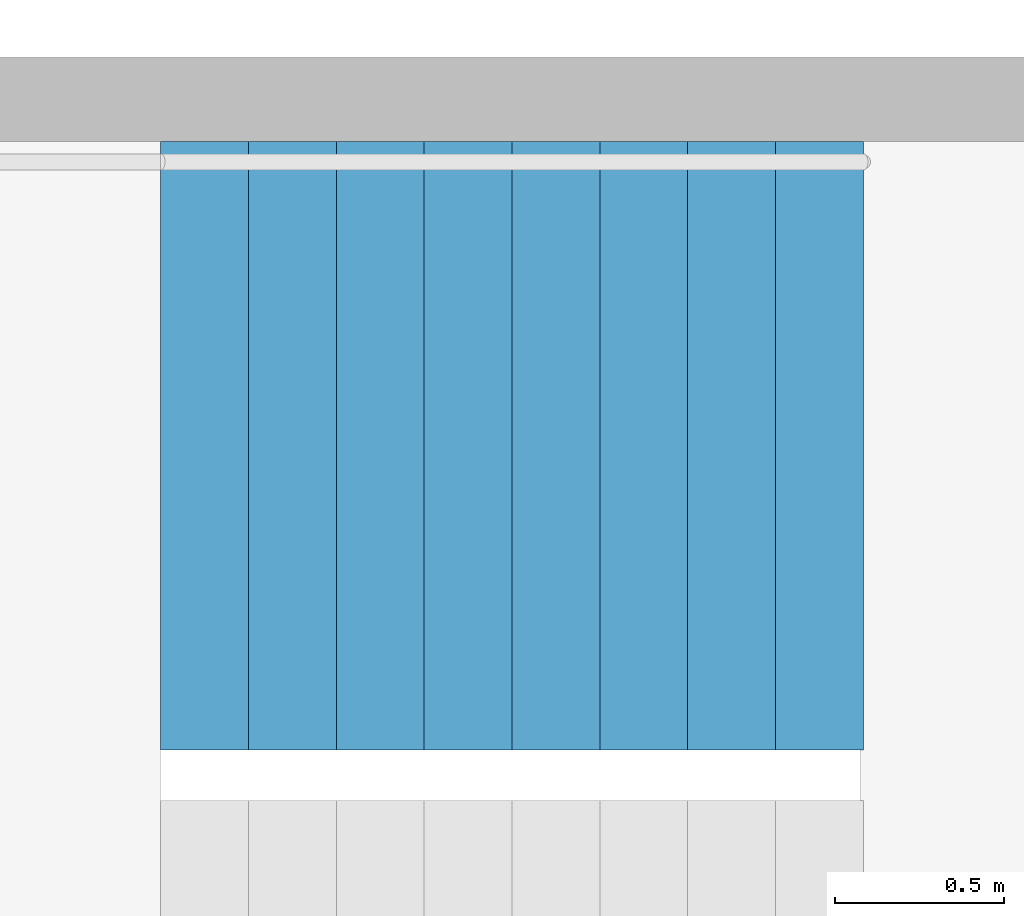
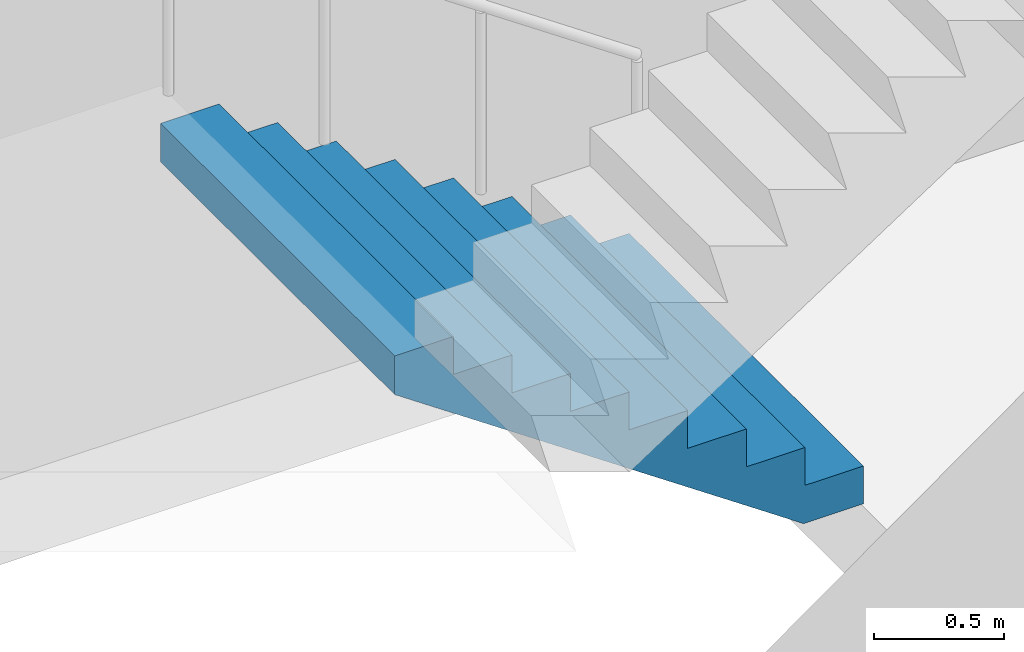
# One storey, part 22 of 29: 1 stair flight, 1 element without a shape of its own.
"""IFC4 building model written with IfcOpenShell, lengths in metres."""

import ifcopenshell
import ifcopenshell.guid

model = None  # the IFC model being written
_history = None  # IfcOwnerHistory: only IFC2X3 demands one
_inside = {}  # id of a spatial element -> (the spatial element, [elements in it])
_under = {}  # id of a project, library or spatial element -> (it, [spatial elements below it])
_declared = {}  # id of a project -> (the project, [libraries it declares])
_typed = {}  # id of a type object -> (the type object, [elements of that type])
_made_of = {}  # id of a material, layer set ... -> (it, [elements and type objects made of it])


def new_model(schema):
    """Start an empty IFC model of exactly this schema.

    Asked for "IFC4X3", IfcOpenShell would pick the latest addendum, in which some entities
    have other attributes; the version numbers below select the first issue.
    IFC2X3 requires an IfcOwnerHistory on every rooted entity: one is made here for all.
    """
    global model, _history
    if schema == "IFC4X3":
        model = ifcopenshell.file(schema_version=(4, 3, 0, 0))
    else:
        model = ifcopenshell.file(schema=schema)
    _inside.clear()
    _under.clear()
    _declared.clear()
    _typed.clear()
    _made_of.clear()
    _history = None
    if model.schema == "IFC2X3":
        org = make("IfcOrganization", Name="unknown")
        user = make(
            "IfcPersonAndOrganization",
            ThePerson=make("IfcPerson", FamilyName="unknown"),
            TheOrganization=org,
        )
        app = make(
            "IfcApplication",
            ApplicationDeveloper=org,
            Version="unknown",
            ApplicationFullName="unknown",
            ApplicationIdentifier="unknown",
        )
        _history = make(
            "IfcOwnerHistory",
            OwningUser=user,
            OwningApplication=app,
            ChangeAction="ADDED",
            CreationDate=0,
        )
    return model


def make(cls, **values):
    """One entity of the class cls with the attributes given. An attribute that is None is left unset."""
    return model.create_entity(
        cls, **{name: value for name, value in values.items() if value is not None}
    )


def rooted(cls, **values):
    """An entity with a GlobalId (a new one), such as an element, a storey or a relation."""
    return make(cls, GlobalId=ifcopenshell.guid.new(), OwnerHistory=_history, **values)


def si_unit(unit_type, name, prefix=None):
    """IfcSIUnit, for example si_unit("LENGTHUNIT", "METRE", prefix="MILLI")."""
    return make("IfcSIUnit", UnitType=unit_type, Prefix=prefix, Name=name)


def assignment(units):
    """IfcUnitAssignment: the units of a project."""
    return None if units is None else make("IfcUnitAssignment", Units=units)


def point(xyz):
    """IfcCartesianPoint."""
    return None if xyz is None else make("IfcCartesianPoint", Coordinates=xyz)


def direction(xyz):
    """IfcDirection."""
    return None if xyz is None else make("IfcDirection", DirectionRatios=xyz)


def frame(location, z_axis=None, x_axis=None):
    """IfcAxis2Placement3D, a coordinate frame: its origin and axes. An axis left out is left unset."""
    return make(
        "IfcAxis2Placement3D",
        Location=point(location),
        Axis=direction(z_axis),
        RefDirection=direction(x_axis),
    )


def origin():
    """The frame at (0, 0, 0) with its axes left unset."""
    return frame((0.0, 0.0, 0.0))


def place(relative_to, where):
    """IfcLocalPlacement: puts the frame where relative to a parent placement (None: the world)."""
    return make(
        "IfcLocalPlacement", PlacementRelTo=relative_to, RelativePlacement=where
    )


def context(
    kind, dimensions, precision=None, world=None, true_north=None, identifier=None
):
    """IfcGeometricRepresentationContext, for example the 3D "Model" context."""
    return make(
        "IfcGeometricRepresentationContext",
        ContextIdentifier=identifier,
        ContextType=kind,
        CoordinateSpaceDimension=dimensions,
        Precision=precision,
        WorldCoordinateSystem=world,
        TrueNorth=true_north,
    )


def subcontext(parent, identifier, kind, view, scale=None):
    """IfcGeometricRepresentationSubContext, for example "Body" below "Model"."""
    return make(
        "IfcGeometricRepresentationSubContext",
        ContextIdentifier=identifier,
        ContextType=kind,
        ParentContext=parent,
        TargetScale=scale,
        TargetView=view,
    )


def project(units=None, contexts=None):
    """IfcProject with its units and contexts."""
    return rooted(
        "IfcProject",
        Name="project",
        RepresentationContexts=contexts,
        UnitsInContext=assignment(units),
    )


def spatial(cls, under=None, at=None, **own):
    """A site, building, storey or space (cls), placed at a placement, below another one or the project."""
    s = rooted(cls, ObjectPlacement=at, **own)
    if under is not None:
        _under.setdefault(under.id(), (under, []))[1].append(s)
    return s


def point_list(points):
    """IfcCartesianPointList2D or 3D."""
    cls = (
        "IfcCartesianPointList2D" if len(points[0]) == 2 else "IfcCartesianPointList3D"
    )
    return make(cls, CoordList=points)


def triangles(points, corners, closed=None, point_numbers=None):
    """IfcTriangulatedFaceSet: each triangle names its three corners, points numbered from 1."""
    return make(
        "IfcTriangulatedFaceSet",
        Coordinates=point_list(points),
        Closed=closed,
        CoordIndex=corners,
        PnIndex=point_numbers,
    )


def shape(context_of_items, identifier, shape_type, items):
    """IfcShapeRepresentation: the items that make up one representation, for example the "Body"."""
    return make(
        "IfcShapeRepresentation",
        ContextOfItems=context_of_items,
        RepresentationIdentifier=identifier,
        RepresentationType=shape_type,
        Items=items,
    )


def material(Name=None, Category=None):
    """IfcMaterial."""
    return make("IfcMaterial", Name=Name, Category=Category)


def made_of(thing, what):
    """Note that an element or type object is made of a material, layer set ...; save() writes the relation."""
    if what is not None:
        _made_of.setdefault(what.id(), (what, []))[1].append(thing)
    return thing


def type_object(cls, material=None, **own):
    """A type object (cls), such as IfcWallType, which elements share."""
    return made_of(rooted(cls, **own), material)


def element(
    cls,
    number,
    at=None,
    inside=None,
    cuts=None,
    type_object=None,
    material=None,
    context=None,
    identifier="Body",
    shape_type=None,
    held_by="IfcProductDefinitionShape",
    body=None,
    shapes=None,
    **own,
):
    """One element of the class cls, such as IfcWall. Its Tag is "e" and its number.

    at: its placement. inside: the storey or other place that contains it. cuts: it is an
    opening in that element (IfcRelVoidsElement). A single representation is given by context,
    identifier, shape_type and body (its items); several are given by shapes. held_by: the class
    of the entity that holds the representations. save() writes the other relations.
    """
    e = rooted(cls, Tag="e%d" % number, ObjectPlacement=at, **own)
    if body is not None:
        shapes = [shape(context, identifier, shape_type, body)]
    if shapes is not None:
        e.Representation = make(held_by, Representations=shapes)
    if inside is not None:
        _inside.setdefault(inside.id(), (inside, []))[1].append(e)
    if cuts is not None:
        rooted(
            "IfcRelVoidsElement", RelatingBuildingElement=cuts, RelatedOpeningElement=e
        )
    if type_object is not None:
        _typed.setdefault(type_object.id(), (type_object, []))[1].append(e)
    return made_of(e, material)


def aggregate(whole, parts):
    """IfcRelAggregates: a whole, such as a stair, and the parts it consists of."""
    return rooted("IfcRelAggregates", RelatingObject=whole, RelatedObjects=parts)


def save(model, path):
    """Write the relations noted so far, then the file.

    IfcRelAggregates (storeys below a building ...), IfcRelContainedInSpatialStructure (elements
    in a storey), IfcRelDefinesByType, IfcRelAssociatesMaterial and IfcRelDeclares: one each for
    every whole, place, type object, material and project.
    """
    for whole, parts in _under.values():
        aggregate(whole, parts)
    for where, things in _inside.values():
        rooted(
            "IfcRelContainedInSpatialStructure",
            RelatedElements=things,
            RelatingStructure=where,
        )
    for kind, things in _typed.values():
        rooted("IfcRelDefinesByType", RelatedObjects=things, RelatingType=kind)
    for what, things in _made_of.values():
        rooted("IfcRelAssociatesMaterial", RelatedObjects=things, RelatingMaterial=what)
    for by, libraries in _declared.values():
        rooted("IfcRelDeclares", RelatingContext=by, RelatedDefinitions=libraries)
    model.write(path)


model = new_model("IFC4")

# Units and contexts
model_context = context("Model", 3, precision=1e-05, world=origin(), true_north=direction((0.0, 1.0)))
body_context = subcontext(model_context, "Body", "Model", "MODEL_VIEW")
ifc_project = project(units=[si_unit("LENGTHUNIT", "METRE"), si_unit("AREAUNIT", "SQUARE_METRE"), si_unit("VOLUMEUNIT", "CUBIC_METRE"), si_unit("PLANEANGLEUNIT", "RADIAN"), si_unit("MASSUNIT", "GRAM", prefix="KILO")], contexts=[model_context])

# Site, building, storey
site_placement = place(None, origin())
site = spatial("IfcSite", under=ifc_project, at=site_placement, CompositionType="ELEMENT")
building_placement = place(site_placement, origin())
building = spatial("IfcBuilding", under=site, at=building_placement, Name="Hakoniwa Tower and Hamabe Station Hall", CompositionType="ELEMENT")
storey_placement = place(building_placement, frame((0.0, 0.0, 45.39990234375)))
storey = spatial("IfcBuildingStorey", under=building, at=storey_placement, Name="L12", CompositionType="ELEMENT", Elevation=45.39990234375)

# Stair, stair flight
ifc_material_1 = material(Name="Concrete C40", Category="concrete")
stair_type = type_object("IfcStairType", Name="ESCAPE STAIR 1800", PredefinedType="HALF_TURN_STAIR", material=ifc_material_1)
stair_placement = place(storey_placement, origin())
stair = element("IfcStair", 1, at=stair_placement, inside=storey, type_object=stair_type, Name="Escape stair ST-2 L12", PredefinedType="HALF_TURN_STAIR")
ifc_material_2 = material(Name="Concrete C40", Category="concrete")
stair_flight_type = type_object("IfcStairFlightType", Name="STAIR FLIGHT 1800", PredefinedType="STRAIGHT", material=ifc_material_2)
stair_flight_placement = place(storey_placement, frame((-23.39990234375, -4.64990234375, 0.0), z_axis=(0.0, 0.0, 1.0), x_axis=(-1.0, 0.0, 0.0)))
stair_flight = element("IfcStairFlight", 2, at=stair_flight_placement, type_object=stair_flight_type, Name="ST-2 flight 1", NumberOfRisers=9, NumberOfTreads=8, PredefinedType="STRAIGHT", RiserHeight=0.177777778, TreadLength=0.26, context=body_context, shape_type="Tessellation", body=[
    triangles([(0.0, 0.89990234375, 0.0), (0.260009765625, 0.89990234375, 0.0), (0.265625, 0.89990234375, 0.0), (0.52001953125, 0.89990234375, 0.174072265625), (0.780029296875, 0.89990234375, 0.351806640625), (1.0400390625, 0.89990234375, 0.529541015625), (1.300048828125, 0.89990234375, 0.707275390625), (1.56005859375, 0.89990234375, 0.885009765625), (1.820068359375, 0.89990234375, 1.062744140625), (2.080078125, 0.89990234375, 1.24072265625), (2.080078125, 0.89990234375, 1.422119140625), (1.820068359375, 0.89990234375, 1.422119140625), (1.820068359375, 0.89990234375, 1.244384765625), (1.56005859375, 0.89990234375, 1.244384765625), (1.56005859375, 0.89990234375, 1.066650390625), (1.300048828125, 0.89990234375, 1.066650390625), (1.300048828125, 0.89990234375, 0.888916015625), (1.0400390625, 0.89990234375, 0.888916015625), (1.0400390625, 0.89990234375, 0.711181640625), (0.780029296875, 0.89990234375, 0.711181640625), (0.780029296875, 0.89990234375, 0.533447265625), (0.52001953125, 0.89990234375, 0.533447265625), (0.52001953125, 0.89990234375, 0.35546875), (0.265625, 0.89990234375, 0.35546875), (0.260009765625, 0.89990234375, 0.35546875), (0.260009765625, 0.89990234375, 0.177734375), (0.0, 0.89990234375, 0.177734375), (0.0, 0.06005859375, 0.0), (0.260009765625, 0.06005859375, 0.0), (0.265625, 0.06005859375, 0.0), (0.52001953125, 0.06005859375, 0.174072265625), (0.780029296875, 0.06005859375, 0.351806640625), (1.0400390625, 0.06005859375, 0.529541015625), (1.300048828125, 0.06005859375, 0.707275390625), (1.56005859375, 0.06005859375, 0.885009765625), (1.820068359375, 0.06005859375, 1.062744140625), (2.080078125, 0.06005859375, 1.24072265625), (2.080078125, 0.06005859375, 1.422119140625), (1.820068359375, 0.06005859375, 1.422119140625), (1.820068359375, 0.06005859375, 1.244384765625), (1.56005859375, 0.06005859375, 1.244384765625), (1.56005859375, 0.06005859375, 1.066650390625), (1.300048828125, 0.06005859375, 1.066650390625), (1.300048828125, 0.06005859375, 0.888916015625), (1.0400390625, 0.06005859375, 0.888916015625), (1.0400390625, 0.06005859375, 0.711181640625), (0.780029296875, 0.06005859375, 0.711181640625), (0.780029296875, 0.06005859375, 0.533447265625), (0.52001953125, 0.06005859375, 0.533447265625), (0.52001953125, 0.06005859375, 0.35546875), (0.265625, 0.06005859375, 0.35546875), (0.260009765625, 0.06005859375, 0.35546875), (0.260009765625, 0.06005859375, 0.177734375), (0.0, 0.06005859375, 0.177734375), (0.0, 0.04296875, 0.0), (0.260009765625, 0.04296875, 0.0), (0.265625, 0.04296875, 0.0), (0.52001953125, 0.04296875, 0.174072265625), (0.780029296875, 0.04296875, 0.351806640625), (1.0400390625, 0.04296875, 0.529541015625), (1.300048828125, 0.04296875, 0.707275390625), (1.56005859375, 0.04296875, 0.885009765625), (1.820068359375, 0.04296875, 1.062744140625), (2.080078125, 0.04296875, 1.24072265625), (2.080078125, 0.04296875, 1.422119140625), (1.820068359375, 0.04296875, 1.422119140625), (1.820068359375, 0.04296875, 1.244384765625), (1.56005859375, 0.04296875, 1.244384765625), (1.56005859375, 0.04296875, 1.066650390625), (1.300048828125, 0.04296875, 1.066650390625), (1.300048828125, 0.04296875, 0.888916015625), (1.0400390625, 0.04296875, 0.888916015625), (1.0400390625, 0.04296875, 0.711181640625), (0.780029296875, 0.04296875, 0.711181640625), (0.780029296875, 0.04296875, 0.533447265625), (0.52001953125, 0.04296875, 0.533447265625), (0.52001953125, 0.04296875, 0.35546875), (0.265625, 0.04296875, 0.35546875), (0.260009765625, 0.04296875, 0.35546875), (0.260009765625, 0.04296875, 0.177734375), (0.0, 0.04296875, 0.177734375), (0.0, 0.025634765625, 0.0), (0.260009765625, 0.025634765625, 0.0), (0.265625, 0.025634765625, 0.0), (0.52001953125, 0.025634765625, 0.174072265625), (0.780029296875, 0.025634765625, 0.351806640625), (1.0400390625, 0.025634765625, 0.529541015625), (1.300048828125, 0.025634765625, 0.707275390625), (1.56005859375, 0.025634765625, 0.885009765625), (1.820068359375, 0.025634765625, 1.062744140625), (2.080078125, 0.025634765625, 1.24072265625), (2.080078125, 0.025634765625, 1.422119140625), (1.820068359375, 0.025634765625, 1.422119140625), (1.820068359375, 0.025634765625, 1.244384765625), (1.56005859375, 0.025634765625, 1.244384765625), (1.56005859375, 0.025634765625, 1.066650390625), (1.300048828125, 0.025634765625, 1.066650390625), (1.300048828125, 0.025634765625, 0.888916015625), (1.0400390625, 0.025634765625, 0.888916015625), (1.0400390625, 0.025634765625, 0.711181640625), (0.780029296875, 0.025634765625, 0.711181640625), (0.780029296875, 0.025634765625, 0.533447265625), (0.52001953125, 0.025634765625, 0.533447265625), (0.52001953125, 0.025634765625, 0.35546875), (0.265625, 0.025634765625, 0.35546875), (0.260009765625, 0.025634765625, 0.35546875), (0.260009765625, 0.025634765625, 0.177734375), (0.0, 0.025634765625, 0.177734375), (0.0, 0.008544921875, 0.0), (0.260009765625, 0.008544921875, 0.0), (0.265625, 0.008544921875, 0.0), (0.52001953125, 0.008544921875, 0.174072265625), (0.780029296875, 0.008544921875, 0.351806640625), (1.0400390625, 0.008544921875, 0.529541015625), (1.300048828125, 0.008544921875, 0.707275390625), (1.56005859375, 0.008544921875, 0.885009765625), (1.820068359375, 0.008544921875, 1.062744140625), (2.080078125, 0.008544921875, 1.24072265625), (2.080078125, 0.008544921875, 1.422119140625), (1.820068359375, 0.008544921875, 1.422119140625), (1.820068359375, 0.008544921875, 1.244384765625), (1.56005859375, 0.008544921875, 1.244384765625), (1.56005859375, 0.008544921875, 1.066650390625), (1.300048828125, 0.008544921875, 1.066650390625), (1.300048828125, 0.008544921875, 0.888916015625), (1.0400390625, 0.008544921875, 0.888916015625), (1.0400390625, 0.008544921875, 0.711181640625), (0.780029296875, 0.008544921875, 0.711181640625), (0.780029296875, 0.008544921875, 0.533447265625), (0.52001953125, 0.008544921875, 0.533447265625), (0.52001953125, 0.008544921875, 0.35546875), (0.265625, 0.008544921875, 0.35546875), (0.260009765625, 0.008544921875, 0.35546875), (0.260009765625, 0.008544921875, 0.177734375), (0.0, 0.008544921875, 0.177734375), (0.0, -0.008544921875, 0.0), (0.260009765625, -0.008544921875, 0.0), (0.265625, -0.008544921875, 0.0), (0.52001953125, -0.008544921875, 0.174072265625), (0.780029296875, -0.008544921875, 0.351806640625), (1.0400390625, -0.008544921875, 0.529541015625), (1.300048828125, -0.008544921875, 0.707275390625), (1.56005859375, -0.008544921875, 0.885009765625), (1.820068359375, -0.008544921875, 1.062744140625), (2.080078125, -0.008544921875, 1.24072265625), (2.080078125, -0.008544921875, 1.422119140625), (1.820068359375, -0.008544921875, 1.422119140625), (1.820068359375, -0.008544921875, 1.244384765625), (1.56005859375, -0.008544921875, 1.244384765625), (1.56005859375, -0.008544921875, 1.066650390625), (1.300048828125, -0.008544921875, 1.066650390625), (1.300048828125, -0.008544921875, 0.888916015625), (1.0400390625, -0.008544921875, 0.888916015625), (1.0400390625, -0.008544921875, 0.711181640625), (0.780029296875, -0.008544921875, 0.711181640625), (0.780029296875, -0.008544921875, 0.533447265625), (0.52001953125, -0.008544921875, 0.533447265625), (0.52001953125, -0.008544921875, 0.35546875), (0.265625, -0.008544921875, 0.35546875), (0.260009765625, -0.008544921875, 0.35546875), (0.260009765625, -0.008544921875, 0.177734375), (0.0, -0.008544921875, 0.177734375), (0.0, -0.025634765625, 0.0), (0.260009765625, -0.025634765625, 0.0), (0.265625, -0.025634765625, 0.0), (0.52001953125, -0.025634765625, 0.174072265625), (0.780029296875, -0.025634765625, 0.351806640625), (1.0400390625, -0.025634765625, 0.529541015625), (1.300048828125, -0.025634765625, 0.707275390625), (1.56005859375, -0.025634765625, 0.885009765625), (1.820068359375, -0.025634765625, 1.062744140625), (2.080078125, -0.025634765625, 1.24072265625), (2.080078125, -0.025634765625, 1.422119140625), (1.820068359375, -0.025634765625, 1.422119140625), (1.820068359375, -0.025634765625, 1.244384765625), (1.56005859375, -0.025634765625, 1.244384765625), (1.56005859375, -0.025634765625, 1.066650390625), (1.300048828125, -0.025634765625, 1.066650390625), (1.300048828125, -0.025634765625, 0.888916015625), (1.0400390625, -0.025634765625, 0.888916015625), (1.0400390625, -0.025634765625, 0.711181640625), (0.780029296875, -0.025634765625, 0.711181640625), (0.780029296875, -0.025634765625, 0.533447265625), (0.52001953125, -0.025634765625, 0.533447265625), (0.52001953125, -0.025634765625, 0.35546875), (0.265625, -0.025634765625, 0.35546875), (0.260009765625, -0.025634765625, 0.35546875), (0.260009765625, -0.025634765625, 0.177734375), (0.0, -0.025634765625, 0.177734375), (0.0, -0.04296875, 0.0), (0.260009765625, -0.04296875, 0.0), (0.265625, -0.04296875, 0.0), (0.52001953125, -0.04296875, 0.174072265625), (0.780029296875, -0.04296875, 0.351806640625), (1.0400390625, -0.04296875, 0.529541015625), (1.300048828125, -0.04296875, 0.707275390625), (1.56005859375, -0.04296875, 0.885009765625), (1.820068359375, -0.04296875, 1.062744140625), (2.080078125, -0.04296875, 1.24072265625), (2.080078125, -0.04296875, 1.422119140625), (1.820068359375, -0.04296875, 1.422119140625), (1.820068359375, -0.04296875, 1.244384765625), (1.56005859375, -0.04296875, 1.244384765625), (1.56005859375, -0.04296875, 1.066650390625), (1.300048828125, -0.04296875, 1.066650390625), (1.300048828125, -0.04296875, 0.888916015625), (1.0400390625, -0.04296875, 0.888916015625), (1.0400390625, -0.04296875, 0.711181640625), (0.780029296875, -0.04296875, 0.711181640625), (0.780029296875, -0.04296875, 0.533447265625), (0.52001953125, -0.04296875, 0.533447265625), (0.52001953125, -0.04296875, 0.35546875), (0.265625, -0.04296875, 0.35546875), (0.260009765625, -0.04296875, 0.35546875), (0.260009765625, -0.04296875, 0.177734375), (0.0, -0.04296875, 0.177734375), (0.0, -0.06005859375, 0.0), (0.260009765625, -0.06005859375, 0.0), (0.265625, -0.06005859375, 0.0), (0.52001953125, -0.06005859375, 0.174072265625), (0.780029296875, -0.06005859375, 0.351806640625), (1.0400390625, -0.06005859375, 0.529541015625), (1.300048828125, -0.06005859375, 0.707275390625), (1.56005859375, -0.06005859375, 0.885009765625), (1.820068359375, -0.06005859375, 1.062744140625), (2.080078125, -0.06005859375, 1.24072265625), (2.080078125, -0.06005859375, 1.422119140625), (1.820068359375, -0.06005859375, 1.422119140625), (1.820068359375, -0.06005859375, 1.244384765625), (1.56005859375, -0.06005859375, 1.244384765625), (1.56005859375, -0.06005859375, 1.066650390625), (1.300048828125, -0.06005859375, 1.066650390625), (1.300048828125, -0.06005859375, 0.888916015625), (1.0400390625, -0.06005859375, 0.888916015625), (1.0400390625, -0.06005859375, 0.711181640625), (0.780029296875, -0.06005859375, 0.711181640625), (0.780029296875, -0.06005859375, 0.533447265625), (0.52001953125, -0.06005859375, 0.533447265625), (0.52001953125, -0.06005859375, 0.35546875), (0.265625, -0.06005859375, 0.35546875), (0.260009765625, -0.06005859375, 0.35546875), (0.260009765625, -0.06005859375, 0.177734375), (0.0, -0.06005859375, 0.177734375), (0.0, -0.89990234375, 0.0), (0.260009765625, -0.89990234375, 0.0), (0.265625, -0.89990234375, 0.0), (0.52001953125, -0.89990234375, 0.174072265625), (0.780029296875, -0.89990234375, 0.351806640625), (1.0400390625, -0.89990234375, 0.529541015625), (1.300048828125, -0.89990234375, 0.707275390625), (1.56005859375, -0.89990234375, 0.885009765625), (1.820068359375, -0.89990234375, 1.062744140625), (2.080078125, -0.89990234375, 1.24072265625), (2.080078125, -0.89990234375, 1.422119140625), (1.820068359375, -0.89990234375, 1.422119140625), (1.820068359375, -0.89990234375, 1.244384765625), (1.56005859375, -0.89990234375, 1.244384765625), (1.56005859375, -0.89990234375, 1.066650390625), (1.300048828125, -0.89990234375, 1.066650390625), (1.300048828125, -0.89990234375, 0.888916015625), (1.0400390625, -0.89990234375, 0.888916015625), (1.0400390625, -0.89990234375, 0.711181640625), (0.780029296875, -0.89990234375, 0.711181640625), (0.780029296875, -0.89990234375, 0.533447265625), (0.52001953125, -0.89990234375, 0.533447265625), (0.52001953125, -0.89990234375, 0.35546875), (0.265625, -0.89990234375, 0.35546875), (0.260009765625, -0.89990234375, 0.35546875), (0.260009765625, -0.89990234375, 0.177734375), (0.0, -0.89990234375, 0.177734375)], [[2, 27, 26], [245, 269, 270], [2, 1, 27], [245, 270, 244], [3, 25, 24], [246, 267, 268], [3, 26, 25], [246, 268, 269], [3, 2, 26], [246, 269, 245], [4, 24, 23], [247, 266, 267], [4, 3, 24], [247, 267, 246], [5, 22, 21], [248, 264, 265], [5, 23, 22], [248, 265, 266], [5, 4, 23], [248, 266, 247], [6, 20, 19], [249, 262, 263], [6, 21, 20], [249, 263, 264], [6, 5, 21], [249, 264, 248], [7, 18, 17], [250, 260, 261], [7, 19, 18], [250, 261, 262], [7, 6, 19], [250, 262, 249], [8, 16, 15], [251, 258, 259], [8, 17, 16], [251, 259, 260], [8, 7, 17], [251, 260, 250], [9, 14, 13], [252, 256, 257], [9, 15, 14], [252, 257, 258], [9, 8, 15], [252, 258, 251], [10, 12, 11], [253, 254, 255], [10, 13, 12], [253, 255, 256], [10, 9, 13], [253, 256, 252], [1, 2, 29], [1, 29, 28], [28, 29, 56], [28, 56, 55], [55, 56, 83], [55, 83, 82], [82, 83, 110], [82, 110, 109], [109, 110, 137], [109, 137, 136], [136, 137, 164], [136, 164, 163], [163, 164, 191], [163, 191, 190], [190, 191, 218], [190, 218, 217], [217, 218, 245], [217, 245, 244], [2, 3, 30], [2, 30, 29], [29, 30, 57], [29, 57, 56], [56, 57, 84], [56, 84, 83], [83, 84, 111], [83, 111, 110], [110, 111, 138], [110, 138, 137], [137, 138, 165], [137, 165, 164], [164, 165, 192], [164, 192, 191], [191, 192, 219], [191, 219, 218], [218, 219, 246], [218, 246, 245], [3, 4, 31], [3, 31, 30], [30, 31, 58], [30, 58, 57], [57, 58, 85], [57, 85, 84], [84, 85, 112], [84, 112, 111], [111, 112, 139], [111, 139, 138], [138, 139, 166], [138, 166, 165], [165, 166, 193], [165, 193, 192], [192, 193, 220], [192, 220, 219], [219, 220, 247], [219, 247, 246], [4, 5, 32], [4, 32, 31], [31, 32, 59], [31, 59, 58], [58, 59, 86], [58, 86, 85], [85, 86, 113], [85, 113, 112], [112, 113, 140], [112, 140, 139], [139, 140, 167], [139, 167, 166], [166, 167, 194], [166, 194, 193], [193, 194, 221], [193, 221, 220], [220, 221, 248], [220, 248, 247], [5, 6, 33], [5, 33, 32], [32, 33, 60], [32, 60, 59], [59, 60, 87], [59, 87, 86], [86, 87, 114], [86, 114, 113], [113, 114, 141], [113, 141, 140], [140, 141, 168], [140, 168, 167], [167, 168, 195], [167, 195, 194], [194, 195, 222], [194, 222, 221], [221, 222, 249], [221, 249, 248], [6, 7, 34], [6, 34, 33], [33, 34, 61], [33, 61, 60], [60, 61, 88], [60, 88, 87], [87, 88, 115], [87, 115, 114], [114, 115, 142], [114, 142, 141], [141, 142, 169], [141, 169, 168], [168, 169, 196], [168, 196, 195], [195, 196, 223], [195, 223, 222], [222, 223, 250], [222, 250, 249], [7, 8, 35], [7, 35, 34], [34, 35, 62], [34, 62, 61], [61, 62, 89], [61, 89, 88], [88, 89, 116], [88, 116, 115], [115, 116, 143], [115, 143, 142], [142, 143, 170], [142, 170, 169], [169, 170, 197], [169, 197, 196], [196, 197, 224], [196, 224, 223], [223, 224, 251], [223, 251, 250], [8, 9, 36], [8, 36, 35], [35, 36, 63], [35, 63, 62], [62, 63, 90], [62, 90, 89], [89, 90, 117], [89, 117, 116], [116, 117, 144], [116, 144, 143], [143, 144, 171], [143, 171, 170], [170, 171, 198], [170, 198, 197], [197, 198, 225], [197, 225, 224], [224, 225, 252], [224, 252, 251], [9, 10, 37], [9, 37, 36], [36, 37, 64], [36, 64, 63], [63, 64, 91], [63, 91, 90], [90, 91, 118], [90, 118, 117], [117, 118, 145], [117, 145, 144], [144, 145, 172], [144, 172, 171], [171, 172, 199], [171, 199, 198], [198, 199, 226], [198, 226, 225], [225, 226, 253], [225, 253, 252], [10, 11, 38], [10, 38, 37], [37, 38, 65], [37, 65, 64], [64, 65, 92], [64, 92, 91], [91, 92, 119], [91, 119, 118], [118, 119, 146], [118, 146, 145], [145, 146, 173], [145, 173, 172], [172, 173, 200], [172, 200, 199], [199, 200, 227], [199, 227, 226], [226, 227, 254], [226, 254, 253], [11, 12, 39], [11, 39, 38], [38, 39, 66], [38, 66, 65], [65, 66, 93], [65, 93, 92], [92, 93, 120], [92, 120, 119], [119, 120, 147], [119, 147, 146], [146, 147, 174], [146, 174, 173], [173, 174, 201], [173, 201, 200], [200, 201, 228], [200, 228, 227], [227, 228, 255], [227, 255, 254], [12, 13, 40], [12, 40, 39], [39, 40, 67], [39, 67, 66], [66, 67, 94], [66, 94, 93], [93, 94, 121], [93, 121, 120], [120, 121, 148], [120, 148, 147], [147, 148, 175], [147, 175, 174], [174, 175, 202], [174, 202, 201], [201, 202, 229], [201, 229, 228], [228, 229, 256], [228, 256, 255], [13, 14, 41], [13, 41, 40], [40, 41, 68], [40, 68, 67], [67, 68, 95], [67, 95, 94], [94, 95, 122], [94, 122, 121], [121, 122, 149], [121, 149, 148], [148, 149, 176], [148, 176, 175], [175, 176, 203], [175, 203, 202], [202, 203, 230], [202, 230, 229], [229, 230, 257], [229, 257, 256], [14, 15, 42], [14, 42, 41], [41, 42, 69], [41, 69, 68], [68, 69, 96], [68, 96, 95], [95, 96, 123], [95, 123, 122], [122, 123, 150], [122, 150, 149], [149, 150, 177], [149, 177, 176], [176, 177, 204], [176, 204, 203], [203, 204, 231], [203, 231, 230], [230, 231, 258], [230, 258, 257], [15, 16, 43], [15, 43, 42], [42, 43, 70], [42, 70, 69], [69, 70, 97], [69, 97, 96], [96, 97, 124], [96, 124, 123], [123, 124, 151], [123, 151, 150], [150, 151, 178], [150, 178, 177], [177, 178, 205], [177, 205, 204], [204, 205, 232], [204, 232, 231], [231, 232, 259], [231, 259, 258], [16, 17, 44], [16, 44, 43], [43, 44, 71], [43, 71, 70], [70, 71, 98], [70, 98, 97], [97, 98, 125], [97, 125, 124], [124, 125, 152], [124, 152, 151], [151, 152, 179], [151, 179, 178], [178, 179, 206], [178, 206, 205], [205, 206, 233], [205, 233, 232], [232, 233, 260], [232, 260, 259], [17, 18, 45], [17, 45, 44], [44, 45, 72], [44, 72, 71], [71, 72, 99], [71, 99, 98], [98, 99, 126], [98, 126, 125], [125, 126, 153], [125, 153, 152], [152, 153, 180], [152, 180, 179], [179, 180, 207], [179, 207, 206], [206, 207, 234], [206, 234, 233], [233, 234, 261], [233, 261, 260], [18, 19, 46], [18, 46, 45], [45, 46, 73], [45, 73, 72], [72, 73, 100], [72, 100, 99], [99, 100, 127], [99, 127, 126], [126, 127, 154], [126, 154, 153], [153, 154, 181], [153, 181, 180], [180, 181, 208], [180, 208, 207], [207, 208, 235], [207, 235, 234], [234, 235, 262], [234, 262, 261], [19, 20, 47], [19, 47, 46], [46, 47, 74], [46, 74, 73], [73, 74, 101], [73, 101, 100], [100, 101, 128], [100, 128, 127], [127, 128, 155], [127, 155, 154], [154, 155, 182], [154, 182, 181], [181, 182, 209], [181, 209, 208], [208, 209, 236], [208, 236, 235], [235, 236, 263], [235, 263, 262], [20, 21, 48], [20, 48, 47], [47, 48, 75], [47, 75, 74], [74, 75, 102], [74, 102, 101], [101, 102, 129], [101, 129, 128], [128, 129, 156], [128, 156, 155], [155, 156, 183], [155, 183, 182], [182, 183, 210], [182, 210, 209], [209, 210, 237], [209, 237, 236], [236, 237, 264], [236, 264, 263], [21, 22, 49], [21, 49, 48], [48, 49, 76], [48, 76, 75], [75, 76, 103], [75, 103, 102], [102, 103, 130], [102, 130, 129], [129, 130, 157], [129, 157, 156], [156, 157, 184], [156, 184, 183], [183, 184, 211], [183, 211, 210], [210, 211, 238], [210, 238, 237], [237, 238, 265], [237, 265, 264], [22, 23, 50], [22, 50, 49], [49, 50, 77], [49, 77, 76], [76, 77, 104], [76, 104, 103], [103, 104, 131], [103, 131, 130], [130, 131, 158], [130, 158, 157], [157, 158, 185], [157, 185, 184], [184, 185, 212], [184, 212, 211], [211, 212, 239], [211, 239, 238], [238, 239, 266], [238, 266, 265], [23, 24, 51], [23, 51, 50], [50, 51, 78], [50, 78, 77], [77, 78, 105], [77, 105, 104], [104, 105, 132], [104, 132, 131], [131, 132, 159], [131, 159, 158], [158, 159, 186], [158, 186, 185], [185, 186, 213], [185, 213, 212], [212, 213, 240], [212, 240, 239], [239, 240, 267], [239, 267, 266], [24, 25, 52], [24, 52, 51], [51, 52, 79], [51, 79, 78], [78, 79, 106], [78, 106, 105], [105, 106, 133], [105, 133, 132], [132, 133, 160], [132, 160, 159], [159, 160, 187], [159, 187, 186], [186, 187, 214], [186, 214, 213], [213, 214, 241], [213, 241, 240], [240, 241, 268], [240, 268, 267], [25, 26, 53], [25, 53, 52], [52, 53, 80], [52, 80, 79], [79, 80, 107], [79, 107, 106], [106, 107, 134], [106, 134, 133], [133, 134, 161], [133, 161, 160], [160, 161, 188], [160, 188, 187], [187, 188, 215], [187, 215, 214], [214, 215, 242], [214, 242, 241], [241, 242, 269], [241, 269, 268], [26, 27, 54], [26, 54, 53], [53, 54, 81], [53, 81, 80], [80, 81, 108], [80, 108, 107], [107, 108, 135], [107, 135, 134], [134, 135, 162], [134, 162, 161], [161, 162, 189], [161, 189, 188], [188, 189, 216], [188, 216, 215], [215, 216, 243], [215, 243, 242], [242, 243, 270], [242, 270, 269], [27, 1, 28], [27, 28, 54], [54, 28, 55], [54, 55, 81], [81, 55, 82], [81, 82, 108], [108, 82, 109], [108, 109, 135], [135, 109, 136], [135, 136, 162], [162, 136, 163], [162, 163, 189], [189, 163, 190], [189, 190, 216], [216, 190, 217], [216, 217, 243], [243, 217, 244], [243, 244, 270]], closed=True),
])
aggregate(stair, [stair_flight])

save(model, "model.ifc")
